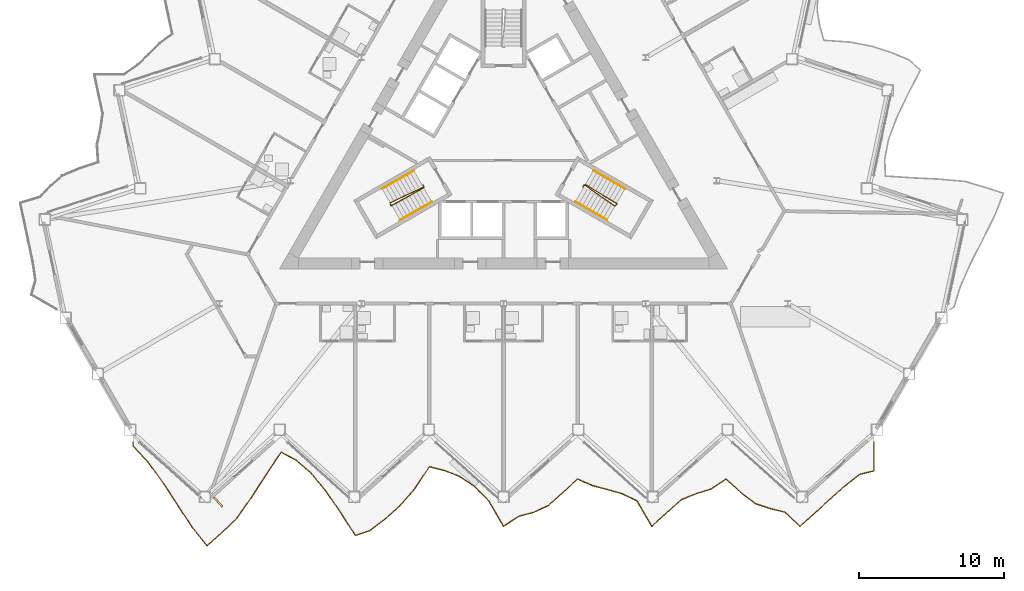
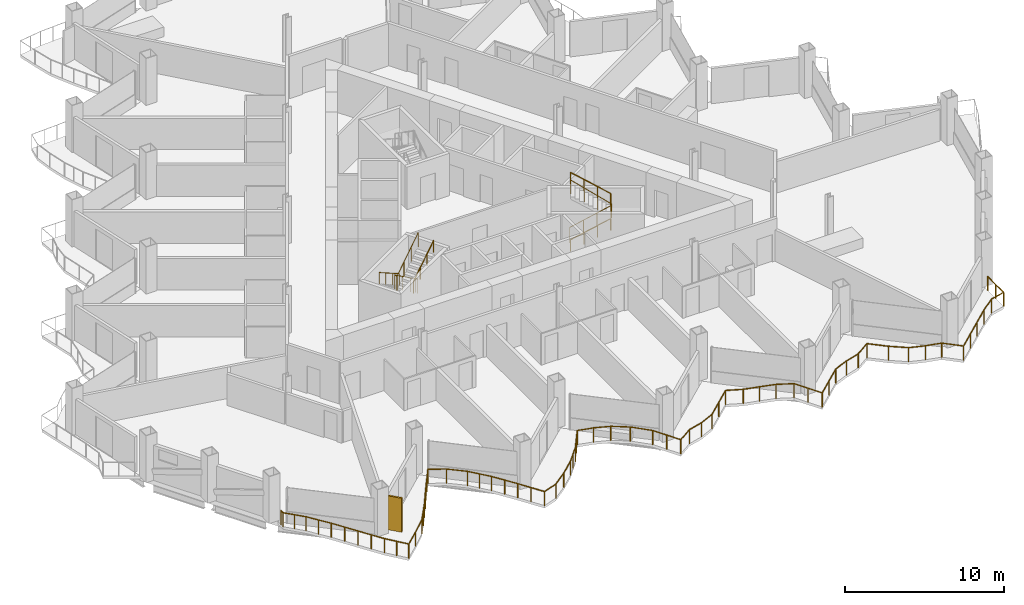
# One storey, part 19 of 23: 7 railings, 1 shading device.
"""IFC4 building model written with IfcOpenShell, lengths in metres."""

from ifc_helpers import new_model, si_unit, direction, frame, origin, origin_2d, place, context, subcontext, project, spatial, rectangle, circle, extrude, material, layer, layer_set, type_object, element, save


model = new_model("IFC4")

# Units and contexts
model_context = context("Model", 3, precision=1e-05, world=origin(), true_north=direction((0.0, 1.0)))
body_context = subcontext(model_context, "Body", "Model", "MODEL_VIEW")
ifc_project = project(units=[si_unit("LENGTHUNIT", "METRE"), si_unit("AREAUNIT", "SQUARE_METRE"), si_unit("VOLUMEUNIT", "CUBIC_METRE"), si_unit("PLANEANGLEUNIT", "RADIAN"), si_unit("MASSUNIT", "GRAM", prefix="KILO")], contexts=[model_context])

# Site, building, storey
site_placement = place(None, origin())
site = spatial("IfcSite", under=ifc_project, at=site_placement, CompositionType="ELEMENT")
building_placement = place(site_placement, origin())
building = spatial("IfcBuilding", under=site, at=building_placement, Name="Cormorant Prow Tower", CompositionType="ELEMENT")
storey_placement = place(building_placement, frame((0.0, 0.0, 183.60009765625)))
storey = spatial("IfcBuildingStorey", under=building, at=storey_placement, Name="L39", CompositionType="ELEMENT", Elevation=183.60009765625)

# Railings
ifc_material_1 = material(Name="Aluminium 6063-T6", Category="aluminium")
railing_type_1 = type_object("IfcRailingType", Name="Balcony guard 1100", PredefinedType="GUARDRAIL", material=ifc_material_1)
railing_1_placement = place(storey_placement, frame((-25.635498046875, -20.921630859375, 0.0)))
element("IfcRailing", 1, at=railing_1_placement, inside=storey, type_object=railing_type_1, Name="Balcony guard S", PredefinedType="GUARDRAIL", context=body_context, shape_type="SweptSolid", body=[
    extrude(circle(Radius=0.02392578125, at=origin_2d()), frame((0.0, 0.0, 1.076171875), z_axis=(0.0, -1.0, 0.0), x_axis=(1.0, 0.0, 0.0)), (0.0, 0.0, 1.0), 0.27001953125),
    extrude(circle(Radius=0.02392578125, at=origin_2d()), frame((0.0, -0.27001953125, 1.076171875), z_axis=(0.681103942477, -0.732186738163, 0.0), x_axis=(0.732186738163, 0.681103942477, 0.0)), (0.0, 0.0, 1.0), 1.50537109375),
    extrude(circle(Radius=0.02392578125, at=origin_2d()), frame((1.025390625, -1.372314453125, 1.076171875), z_axis=(0.588371589744, -0.808590670477, 0.0), x_axis=(0.808590670477, 0.588371589744, 0.0)), (0.0, 0.0, 1.0), 1.74267578125),
    extrude(circle(Radius=0.02392578125, at=origin_2d()), frame((2.05078125, -2.781494140625, 1.076171875), z_axis=(0.545138894856, -0.838345743304, 0.0), x_axis=(0.838345743304, 0.545138894856, 0.0)), (0.0, 0.0, 1.0), 1.880859375),
    extrude(circle(Radius=0.02392578125, at=origin_2d()), frame((3.076171875, -4.3583984375, 1.076171875), z_axis=(0.549977203076, -0.835179666956, 0.0), x_axis=(0.835179666956, 0.549977203076, 0.0)), (0.0, 0.0, 1.0), 1.864501953125),
    extrude(circle(Radius=0.02392578125, at=origin_2d()), frame((4.1015625, -5.91552734375, 1.076171875), z_axis=(0.627898546351, -0.778295198167, 0.0), x_axis=(0.778295198167, 0.627898546351, 0.0)), (0.0, 0.0, 1.0), 1.633056640625),
    extrude(circle(Radius=0.02392578125, at=origin_2d()), frame((5.126953125, -7.1865234375, 1.076171875), z_axis=(0.743197375743, 0.669072238767, 0.0), x_axis=(-0.669072238767, 0.743197375743, 0.0)), (0.0, 0.0, 1.0), 1.380126953125),
    extrude(circle(Radius=0.02392578125, at=origin_2d()), frame((6.152587890625, -6.26318359375, 1.076171875), z_axis=(0.723191339714, 0.690647729427, 0.0), x_axis=(-0.690647729427, 0.723191339714, 0.0)), (0.0, 0.0, 1.0), 1.41796875),
    extrude(circle(Radius=0.02392578125, at=origin_2d()), frame((7.177978515625, -5.283935546875, 1.076171875), z_axis=(0.575649567976, 0.817696505367, 0.0), x_axis=(-0.817696505367, 0.575649567976, 0.0)), (0.0, 0.0, 1.0), 1.78125),
    extrude(circle(Radius=0.02392578125, at=origin_2d()), frame((8.203369140625, -3.827392578125, 1.076171875), z_axis=(0.542303318484, 0.840182784137, 0.0), x_axis=(-0.840182784137, 0.542303318484, 0.0)), (0.0, 0.0, 1.0), 1.890869140625),
    extrude(circle(Radius=0.02392578125, at=origin_2d()), frame((9.228759765625, -2.23876953125, 1.076171875), z_axis=(0.556778734736, 0.83066084568, 0.0), x_axis=(-0.83066084568, 0.556778734736, 0.0)), (0.0, 0.0, 1.0), 1.841552734375),
    extrude(circle(Radius=0.02392578125, at=origin_2d()), frame((10.254150390625, -0.708984375, 1.076171875), z_axis=(0.881654667777, -0.471895165039, 0.0), x_axis=(0.471895165039, 0.881654667777, 0.0)), (0.0, 0.0, 1.0), 1.1630859375),
    extrude(circle(Radius=0.02392578125, at=origin_2d()), frame((11.279541015625, -1.2578125, 1.076171875), z_axis=(0.75568908279, -0.654930538418, 0.0), x_axis=(0.654930538418, 0.75568908279, 0.0)), (0.0, 0.0, 1.0), 1.35693359375),
    extrude(circle(Radius=0.02392578125, at=origin_2d()), frame((12.304931640625, -2.146484375, 1.076171875), z_axis=(0.637791451053, -0.7702091047, 0.0), x_axis=(0.7702091047, 0.637791451053, 0.0)), (0.0, 0.0, 1.0), 1.607666015625),
    extrude(circle(Radius=0.02392578125, at=origin_2d()), frame((13.330322265625, -3.384765625, 1.076171875), z_axis=(0.565055142768, -0.825053141095, 0.0), x_axis=(0.825053141095, 0.565055142768, 0.0)), (0.0, 0.0, 1.0), 1.815185546875),
    extrude(circle(Radius=0.02392578125, at=origin_2d()), frame((14.35595703125, -4.88232421875, 1.076171875), z_axis=(0.541421983834, -0.840750994897, 0.0), x_axis=(0.840750994897, 0.541421983834, 0.0)), (0.0, 0.0, 1.0), 1.893798828125),
    extrude(circle(Radius=0.02392578125, at=origin_2d()), frame((15.38134765625, -6.474609375, 1.076171875), z_axis=(0.946084075397, 0.323921166767, 0.0), x_axis=(-0.323921166767, 0.946084075397, 0.0)), (0.0, 0.0, 1.0), 1.083740234375),
    extrude(circle(Radius=0.02392578125, at=origin_2d()), frame((16.40673828125, -6.12353515625, 1.076171875), z_axis=(0.794610159297, 0.607120000282, 0.0), x_axis=(-0.607120000282, 0.794610159297, 0.0)), (0.0, 0.0, 1.0), 1.29052734375),
    extrude(circle(Radius=0.02392578125, at=origin_2d()), frame((17.43212890625, -5.340087890625, 1.076171875), z_axis=(0.743118165169, 0.669160214445, 0.0), x_axis=(-0.669160214445, 0.743118165169, 0.0)), (0.0, 0.0, 1.0), 1.3798828125),
    extrude(circle(Radius=0.02392578125, at=origin_2d()), frame((18.45751953125, -4.416748046875, 1.076171875), z_axis=(0.659749250302, 0.751485812725, 0.0), x_axis=(-0.751485812725, 0.659749250302, 0.0)), (0.0, 0.0, 1.0), 1.55419921875),
    extrude(circle(Radius=0.02392578125, at=origin_2d()), frame((19.48291015625, -3.248779296875, 1.076171875), z_axis=(0.556288580138, 0.830989178996, 0.0), x_axis=(-0.830989178996, 0.556288580138, 0.0)), (0.0, 0.0, 1.0), 1.84326171875),
    extrude(circle(Radius=0.02392578125, at=origin_2d()), frame((20.50830078125, -1.717041015625, 1.076171875), z_axis=(0.969651629127, -0.244490732201, 0.0), x_axis=(0.244490732201, 0.969651629127, 0.0)), (0.0, 0.0, 1.0), 1.057373046875),
    extrude(circle(Radius=0.02392578125, at=origin_2d()), frame((21.53369140625, -1.9755859375, 1.076171875), z_axis=(0.933894668964, -0.357548244689, 0.0), x_axis=(0.357548244689, 0.933894668964, 0.0)), (0.0, 0.0, 1.0), 1.097900390625),
    extrude(circle(Radius=0.02392578125, at=origin_2d()), frame((22.55908203125, -2.3681640625, 1.076171875), z_axis=(0.834030278815, -0.551718672894, 0.0), x_axis=(0.551718672894, 0.834030278815, 0.0)), (0.0, 0.0, 1.0), 1.229736328125),
    extrude(circle(Radius=0.02392578125, at=origin_2d()), frame((23.584716796875, -3.046630859375, 1.076171875), z_axis=(0.703915232467, -0.710283989332, 0.0), x_axis=(0.710283989332, 0.703915232467, 0.0)), (0.0, 0.0, 1.0), 1.456787109375),
    extrude(circle(Radius=0.02392578125, at=origin_2d()), frame((24.610107421875, -4.081298828125, 1.076171875), z_axis=(0.504445929964, -0.863443283455, 0.0), x_axis=(0.863443283455, 0.504445929964, 0.0)), (0.0, 0.0, 1.0), 2.03271484375),
    extrude(circle(Radius=0.02392578125, at=origin_2d()), frame((25.635498046875, -5.83642578125, 1.076171875), z_axis=(0.831867421138, 0.554974408102, 0.0), x_axis=(-0.554974408102, 0.831867421138, 0.0)), (0.0, 0.0, 1.0), 1.232666015625),
    extrude(circle(Radius=0.02392578125, at=origin_2d()), frame((26.660888671875, -5.15234375, 1.076171875), z_axis=(0.966862485254, 0.255297737178, 0.0), x_axis=(-0.255297737178, 0.966862485254, 0.0)), (0.0, 0.0, 1.0), 1.060546875),
    extrude(circle(Radius=0.02392578125, at=origin_2d()), frame((27.686279296875, -4.881591796875, 1.076171875), z_axis=(0.910818857166, 0.412806261377, 0.0), x_axis=(-0.412806261377, 0.910818857166, 0.0)), (0.0, 0.0, 1.0), 1.1259765625),
    extrude(circle(Radius=0.02392578125, at=origin_2d()), frame((28.7119140625, -4.416748046875, 1.076171875), z_axis=(0.743118165169, 0.669160214445, 0.0), x_axis=(-0.669160214445, 0.743118165169, 0.0)), (0.0, 0.0, 1.0), 1.3798828125),
    extrude(circle(Radius=0.02392578125, at=origin_2d()), frame((29.7373046875, -3.493408203125, 1.076171875), z_axis=(0.743118165169, 0.669160214445, 0.0), x_axis=(-0.669160214445, 0.743118165169, 0.0)), (0.0, 0.0, 1.0), 1.3798828125),
    extrude(circle(Radius=0.02392578125, at=origin_2d()), frame((30.7626953125, -2.570068359375, 1.076171875), z_axis=(0.915154313981, -0.40310368592, 0.0), x_axis=(0.40310368592, 0.915154313981, 0.0)), (0.0, 0.0, 1.0), 1.120361328125),
    extrude(circle(Radius=0.02392578125, at=origin_2d()), frame((31.7880859375, -3.021728515625, 1.076171875), z_axis=(0.96725923768, -0.253790399982, 0.0), x_axis=(0.253790399982, 0.96725923768, 0.0)), (0.0, 0.0, 1.0), 1.06005859375),
    extrude(circle(Radius=0.02392578125, at=origin_2d()), frame((32.8134765625, -3.290771484375, 1.076171875), z_axis=(0.962126726315, -0.272602572456, 0.0), x_axis=(0.272602572456, 0.962126726315, 0.0)), (0.0, 0.0, 1.0), 1.065673828125),
    extrude(circle(Radius=0.02392578125, at=origin_2d()), frame((33.8388671875, -3.581298828125, 1.076171875), z_axis=(0.901020302819, -0.433776917214, 0.0), x_axis=(0.433776917214, 0.901020302819, 0.0)), (0.0, 0.0, 1.0), 1.137939453125),
    extrude(circle(Radius=0.02392578125, at=origin_2d()), frame((34.8642578125, -4.074951171875, 1.076171875), z_axis=(0.503088815692, -0.864234715529, 0.0), x_axis=(0.864234715529, 0.503088815692, 0.0)), (0.0, 0.0, 1.0), 2.0380859375),
    extrude(circle(Radius=0.02392578125, at=origin_2d()), frame((35.8896484375, -5.83642578125, 1.076171875), z_axis=(0.743206151718, 0.669062490392, 0.0), x_axis=(-0.669062490392, 0.743206151718, 0.0)), (0.0, 0.0, 1.0), 1.379638671875),
    extrude(circle(Radius=0.02392578125, at=origin_2d()), frame((36.9150390625, -4.913330078125, 1.076171875), z_axis=(0.743197375743, 0.669072238767, 0.0), x_axis=(-0.669072238767, 0.743197375743, 0.0)), (0.0, 0.0, 1.0), 1.380126953125),
    extrude(circle(Radius=0.02392578125, at=origin_2d()), frame((37.940673828125, -3.989990234375, 1.076171875), z_axis=(0.928095210869, 0.372342959599, 0.0), x_axis=(-0.372342959599, 0.928095210869, 0.0)), (0.0, 0.0, 1.0), 1.104736328125),
    extrude(circle(Radius=0.02392578125, at=origin_2d()), frame((38.966064453125, -3.57861328125, 1.076171875), z_axis=(0.955028616031, 0.296513646501, 0.0), x_axis=(-0.296513646501, 0.955028616031, 0.0)), (0.0, 0.0, 1.0), 1.07373046875),
    extrude(circle(Radius=0.02392578125, at=origin_2d()), frame((39.991455078125, -3.26025390625, 1.076171875), z_axis=(0.829580709455, 0.55838682515, 0.0), x_axis=(-0.55838682515, 0.829580709455, 0.0)), (0.0, 0.0, 1.0), 1.236083984375),
    extrude(circle(Radius=0.02392578125, at=origin_2d()), frame((41.016845703125, -2.570068359375, 1.076171875), z_axis=(0.743118165169, -0.669160214445, 0.0), x_axis=(0.669160214445, 0.743118165169, 0.0)), (0.0, 0.0, 1.0), 1.3798828125),
    extrude(circle(Radius=0.02392578125, at=origin_2d()), frame((42.042236328125, -3.493408203125, 1.076171875), z_axis=(0.798446059556, -0.602066350147, 0.0), x_axis=(0.602066350147, 0.798446059556, 0.0)), (0.0, 0.0, 1.0), 1.2841796875),
    extrude(circle(Radius=0.02392578125, at=origin_2d()), frame((43.067626953125, -4.2666015625, 1.076171875), z_axis=(0.947252842265, -0.320487211633, 0.0), x_axis=(0.320487211633, 0.947252842265, 0.0)), (0.0, 0.0, 1.0), 1.08251953125),
    extrude(circle(Radius=0.02392578125, at=origin_2d()), frame((44.093017578125, -4.613525390625, 1.076171875), z_axis=(0.970629918365, -0.240577558337, 0.0), x_axis=(0.240577558337, 0.970629918365, 0.0)), (0.0, 0.0, 1.0), 1.056396484375),
    extrude(circle(Radius=0.02392578125, at=origin_2d()), frame((45.118408203125, -4.86767578125, 1.076171875), z_axis=(0.726979558122, -0.686659101792, 0.0), x_axis=(0.686659101792, 0.726979558122, 0.0)), (0.0, 0.0, 1.0), 1.410888671875),
    extrude(circle(Radius=0.02392578125, at=origin_2d()), frame((46.14404296875, -5.83642578125, 1.076171875), z_axis=(0.743206151718, 0.669062490392, 0.0), x_axis=(-0.669062490392, 0.743206151718, 0.0)), (0.0, 0.0, 1.0), 1.379638671875),
    extrude(circle(Radius=0.02392578125, at=origin_2d()), frame((47.16943359375, -4.913330078125, 1.076171875), z_axis=(0.743118165169, 0.669160214445, 0.0), x_axis=(-0.669160214445, 0.743118165169, 0.0)), (0.0, 0.0, 1.0), 1.3798828125),
    extrude(circle(Radius=0.02392578125, at=origin_2d()), frame((48.19482421875, -3.989990234375, 1.076171875), z_axis=(0.743118165169, 0.669160214445, 0.0), x_axis=(-0.669160214445, 0.743118165169, 0.0)), (0.0, 0.0, 1.0), 1.3798828125),
    extrude(circle(Radius=0.02392578125, at=origin_2d()), frame((49.22021484375, -3.066650390625, 1.076171875), z_axis=(0.78359163576, 0.621276225496, 0.0), x_axis=(-0.621276225496, 0.78359163576, 0.0)), (0.0, 0.0, 1.0), 1.30859375),
    extrude(circle(Radius=0.02392578125, at=origin_2d()), frame((50.24560546875, -2.253662109375, 1.076171875), z_axis=(0.969596875513, 0.244707782868, 0.0), x_axis=(-0.244707782868, 0.969596875513, 0.0)), (0.0, 0.0, 1.0), 1.0576171875),
    extrude(circle(Radius=0.02392578125, at=origin_2d()), frame((51.27099609375, -1.994873046875, 1.076171875), z_axis=(0.0, 1.0, 0.0), x_axis=(-1.0, 0.0, 0.0)), (0.0, 0.0, 1.0), 1.994873046875),
    extrude(circle(Radius=0.02099609375, at=origin_2d()), origin(), (0.0, 0.0, 1.0), 1.052001953125),
    extrude(circle(Radius=0.02099609375, at=origin_2d()), frame((0.0, -0.27001953125, 0.0)), (0.0, 0.0, 1.0), 1.052001953125),
    extrude(circle(Radius=0.02099609375, at=origin_2d()), frame((0.5126953125, -0.8212890625, 0.0)), (0.0, 0.0, 1.0), 1.052001953125),
    extrude(circle(Radius=0.02099609375, at=origin_2d()), frame((1.025390625, -1.372314453125, 0.0)), (0.0, 0.0, 1.0), 1.052001953125),
    extrude(circle(Radius=0.02099609375, at=origin_2d()), frame((1.5380859375, -2.076904296875, 0.0)), (0.0, 0.0, 1.0), 1.052001953125),
    extrude(circle(Radius=0.02099609375, at=origin_2d()), frame((2.05078125, -2.781494140625, 0.0)), (0.0, 0.0, 1.0), 1.052001953125),
    extrude(circle(Radius=0.02099609375, at=origin_2d()), frame((2.5634765625, -3.56982421875, 0.0)), (0.0, 0.0, 1.0), 1.052001953125),
    extrude(circle(Radius=0.02099609375, at=origin_2d()), frame((3.076171875, -4.3583984375, 0.0)), (0.0, 0.0, 1.0), 1.052001953125),
    extrude(circle(Radius=0.02099609375, at=origin_2d()), frame((3.5888671875, -5.136962890625, 0.0)), (0.0, 0.0, 1.0), 1.052001953125),
    extrude(circle(Radius=0.02099609375, at=origin_2d()), frame((4.1015625, -5.91552734375, 0.0)), (0.0, 0.0, 1.0), 1.052001953125),
    extrude(circle(Radius=0.02099609375, at=origin_2d()), frame((4.6142578125, -6.551025390625, 0.0)), (0.0, 0.0, 1.0), 1.052001953125),
    extrude(circle(Radius=0.02099609375, at=origin_2d()), frame((5.126953125, -7.1865234375, 0.0)), (0.0, 0.0, 1.0), 1.052001953125),
    extrude(circle(Radius=0.02099609375, at=origin_2d()), frame((6.152587890625, -6.26318359375, 0.0)), (0.0, 0.0, 1.0), 1.052001953125),
    extrude(circle(Radius=0.02099609375, at=origin_2d()), frame((7.177978515625, -5.283935546875, 0.0)), (0.0, 0.0, 1.0), 1.052001953125),
    extrude(circle(Radius=0.02099609375, at=origin_2d()), frame((7.690673828125, -4.5556640625, 0.0)), (0.0, 0.0, 1.0), 1.052001953125),
    extrude(circle(Radius=0.02099609375, at=origin_2d()), frame((8.203369140625, -3.827392578125, 0.0)), (0.0, 0.0, 1.0), 1.052001953125),
    extrude(circle(Radius=0.02099609375, at=origin_2d()), frame((8.716064453125, -3.033203125, 0.0)), (0.0, 0.0, 1.0), 1.052001953125),
    extrude(circle(Radius=0.02099609375, at=origin_2d()), frame((9.228759765625, -2.23876953125, 0.0)), (0.0, 0.0, 1.0), 1.052001953125),
    extrude(circle(Radius=0.02099609375, at=origin_2d()), frame((9.741455078125, -1.473876953125, 0.0)), (0.0, 0.0, 1.0), 1.052001953125),
    extrude(circle(Radius=0.02099609375, at=origin_2d()), frame((10.254150390625, -0.708984375, 0.0)), (0.0, 0.0, 1.0), 1.052001953125),
    extrude(circle(Radius=0.02099609375, at=origin_2d()), frame((11.279541015625, -1.2578125, 0.0)), (0.0, 0.0, 1.0), 1.052001953125),
    extrude(circle(Radius=0.02099609375, at=origin_2d()), frame((12.304931640625, -2.146484375, 0.0)), (0.0, 0.0, 1.0), 1.052001953125),
    extrude(circle(Radius=0.02099609375, at=origin_2d()), frame((12.817626953125, -2.765625, 0.0)), (0.0, 0.0, 1.0), 1.052001953125),
    extrude(circle(Radius=0.02099609375, at=origin_2d()), frame((13.330322265625, -3.384765625, 0.0)), (0.0, 0.0, 1.0), 1.052001953125),
    extrude(circle(Radius=0.02099609375, at=origin_2d()), frame((13.84326171875, -4.133544921875, 0.0)), (0.0, 0.0, 1.0), 1.052001953125),
    extrude(circle(Radius=0.02099609375, at=origin_2d()), frame((14.35595703125, -4.88232421875, 0.0)), (0.0, 0.0, 1.0), 1.052001953125),
    extrude(circle(Radius=0.02099609375, at=origin_2d()), frame((14.86865234375, -5.678466796875, 0.0)), (0.0, 0.0, 1.0), 1.052001953125),
    extrude(circle(Radius=0.02099609375, at=origin_2d()), frame((15.38134765625, -6.474609375, 0.0)), (0.0, 0.0, 1.0), 1.052001953125),
    extrude(circle(Radius=0.02099609375, at=origin_2d()), frame((16.40673828125, -6.12353515625, 0.0)), (0.0, 0.0, 1.0), 1.052001953125),
    extrude(circle(Radius=0.02099609375, at=origin_2d()), frame((17.43212890625, -5.340087890625, 0.0)), (0.0, 0.0, 1.0), 1.052001953125),
    extrude(circle(Radius=0.02099609375, at=origin_2d()), frame((18.45751953125, -4.416748046875, 0.0)), (0.0, 0.0, 1.0), 1.052001953125),
    extrude(circle(Radius=0.02099609375, at=origin_2d()), frame((18.97021484375, -3.832763671875, 0.0)), (0.0, 0.0, 1.0), 1.052001953125),
    extrude(circle(Radius=0.02099609375, at=origin_2d()), frame((19.48291015625, -3.248779296875, 0.0)), (0.0, 0.0, 1.0), 1.052001953125),
    extrude(circle(Radius=0.02099609375, at=origin_2d()), frame((19.99560546875, -2.48291015625, 0.0)), (0.0, 0.0, 1.0), 1.052001953125),
    extrude(circle(Radius=0.02099609375, at=origin_2d()), frame((20.50830078125, -1.717041015625, 0.0)), (0.0, 0.0, 1.0), 1.052001953125),
    extrude(circle(Radius=0.02099609375, at=origin_2d()), frame((21.53369140625, -1.9755859375, 0.0)), (0.0, 0.0, 1.0), 1.052001953125),
    extrude(circle(Radius=0.02099609375, at=origin_2d()), frame((22.55908203125, -2.3681640625, 0.0)), (0.0, 0.0, 1.0), 1.052001953125),
    extrude(circle(Radius=0.02099609375, at=origin_2d()), frame((23.584716796875, -3.046630859375, 0.0)), (0.0, 0.0, 1.0), 1.052001953125),
    extrude(circle(Radius=0.02099609375, at=origin_2d()), frame((24.610107421875, -4.081298828125, 0.0)), (0.0, 0.0, 1.0), 1.052001953125),
    extrude(circle(Radius=0.02099609375, at=origin_2d()), frame((25.122802734375, -4.958984375, 0.0)), (0.0, 0.0, 1.0), 1.052001953125),
    extrude(circle(Radius=0.02099609375, at=origin_2d()), frame((25.635498046875, -5.83642578125, 0.0)), (0.0, 0.0, 1.0), 1.052001953125),
    extrude(circle(Radius=0.02099609375, at=origin_2d()), frame((26.660888671875, -5.15234375, 0.0)), (0.0, 0.0, 1.0), 1.052001953125),
    extrude(circle(Radius=0.02099609375, at=origin_2d()), frame((27.686279296875, -4.881591796875, 0.0)), (0.0, 0.0, 1.0), 1.052001953125),
    extrude(circle(Radius=0.02099609375, at=origin_2d()), frame((28.7119140625, -4.416748046875, 0.0)), (0.0, 0.0, 1.0), 1.052001953125),
    extrude(circle(Radius=0.02099609375, at=origin_2d()), frame((29.7373046875, -3.493408203125, 0.0)), (0.0, 0.0, 1.0), 1.052001953125),
    extrude(circle(Radius=0.02099609375, at=origin_2d()), frame((30.7626953125, -2.570068359375, 0.0)), (0.0, 0.0, 1.0), 1.052001953125),
    extrude(circle(Radius=0.02099609375, at=origin_2d()), frame((31.7880859375, -3.021728515625, 0.0)), (0.0, 0.0, 1.0), 1.052001953125),
    extrude(circle(Radius=0.02099609375, at=origin_2d()), frame((32.8134765625, -3.290771484375, 0.0)), (0.0, 0.0, 1.0), 1.052001953125),
    extrude(circle(Radius=0.02099609375, at=origin_2d()), frame((33.8388671875, -3.581298828125, 0.0)), (0.0, 0.0, 1.0), 1.052001953125),
    extrude(circle(Radius=0.02099609375, at=origin_2d()), frame((34.8642578125, -4.074951171875, 0.0)), (0.0, 0.0, 1.0), 1.052001953125),
    extrude(circle(Radius=0.02099609375, at=origin_2d()), frame((35.376953125, -4.95556640625, 0.0)), (0.0, 0.0, 1.0), 1.052001953125),
    extrude(circle(Radius=0.02099609375, at=origin_2d()), frame((35.8896484375, -5.83642578125, 0.0)), (0.0, 0.0, 1.0), 1.052001953125),
    extrude(circle(Radius=0.02099609375, at=origin_2d()), frame((36.9150390625, -4.913330078125, 0.0)), (0.0, 0.0, 1.0), 1.052001953125),
    extrude(circle(Radius=0.02099609375, at=origin_2d()), frame((37.940673828125, -3.989990234375, 0.0)), (0.0, 0.0, 1.0), 1.052001953125),
    extrude(circle(Radius=0.02099609375, at=origin_2d()), frame((38.966064453125, -3.57861328125, 0.0)), (0.0, 0.0, 1.0), 1.052001953125),
    extrude(circle(Radius=0.02099609375, at=origin_2d()), frame((39.991455078125, -3.26025390625, 0.0)), (0.0, 0.0, 1.0), 1.052001953125),
    extrude(circle(Radius=0.02099609375, at=origin_2d()), frame((41.016845703125, -2.570068359375, 0.0)), (0.0, 0.0, 1.0), 1.052001953125),
    extrude(circle(Radius=0.02099609375, at=origin_2d()), frame((42.042236328125, -3.493408203125, 0.0)), (0.0, 0.0, 1.0), 1.052001953125),
    extrude(circle(Radius=0.02099609375, at=origin_2d()), frame((43.067626953125, -4.2666015625, 0.0)), (0.0, 0.0, 1.0), 1.052001953125),
    extrude(circle(Radius=0.02099609375, at=origin_2d()), frame((44.093017578125, -4.613525390625, 0.0)), (0.0, 0.0, 1.0), 1.052001953125),
    extrude(circle(Radius=0.02099609375, at=origin_2d()), frame((45.118408203125, -4.86767578125, 0.0)), (0.0, 0.0, 1.0), 1.052001953125),
    extrude(circle(Radius=0.02099609375, at=origin_2d()), frame((46.14404296875, -5.83642578125, 0.0)), (0.0, 0.0, 1.0), 1.052001953125),
    extrude(circle(Radius=0.02099609375, at=origin_2d()), frame((47.16943359375, -4.913330078125, 0.0)), (0.0, 0.0, 1.0), 1.052001953125),
    extrude(circle(Radius=0.02099609375, at=origin_2d()), frame((48.19482421875, -3.989990234375, 0.0)), (0.0, 0.0, 1.0), 1.052001953125),
    extrude(circle(Radius=0.02099609375, at=origin_2d()), frame((49.22021484375, -3.066650390625, 0.0)), (0.0, 0.0, 1.0), 1.052001953125),
    extrude(circle(Radius=0.02099609375, at=origin_2d()), frame((50.24560546875, -2.253662109375, 0.0)), (0.0, 0.0, 1.0), 1.052001953125),
    extrude(circle(Radius=0.02099609375, at=origin_2d()), frame((51.27099609375, -1.994873046875, 0.0)), (0.0, 0.0, 1.0), 1.052001953125),
    extrude(circle(Radius=0.02099609375, at=origin_2d()), frame((51.27099609375, -0.99755859375, 0.0)), (0.0, 0.0, 1.0), 1.052001953125),
    extrude(circle(Radius=0.02099609375, at=origin_2d()), frame((51.27099609375, 0.0, 0.0)), (0.0, 0.0, 1.0), 1.052001953125),
])
ifc_material_2 = material(Name="Stainless steel", Category="steel")
railing_type_2 = type_object("IfcRailingType", Name="Stair guard 1100", PredefinedType="GUARDRAIL", material=ifc_material_2)
railing_2_placement = place(storey_placement, frame((-5.585205078125, -3.137939453125, 0.0)))
element("IfcRailing", 2, at=railing_2_placement, inside=storey, type_object=railing_type_2, Name="L39 ST1 stair guard 1", PredefinedType="GUARDRAIL", context=body_context, shape_type="SweptSolid", body=[
    extrude(circle(Radius=0.02392578125, at=origin_2d()), frame((0.0, 0.0, 1.076171875), z_axis=(0.501036270542, -0.865426285481, 0.0), x_axis=(0.865426285481, 0.501036270542, 0.0)), (0.0, 0.0, 1.0), 0.150146484375),
    extrude(circle(Radius=0.02392578125, at=origin_2d()), frame((0.0751953125, -0.1298828125, 1.076171875), z_axis=(-0.739739923809, -0.353640102144, 0.572471416997), x_axis=(0.431308035802, -0.902204731895, 0.0)), (0.0, 0.0, 1.0), 3.143798828125),
    extrude(circle(Radius=0.02392578125, at=origin_2d()), frame((-2.25048828125, -1.24169921875, 2.8759765625), z_axis=(0.274721127897, -0.961523947641, 0.0), x_axis=(0.961523947641, 0.274721127897, 0.0)), (0.0, 0.0, 1.0), 0.2060546875),
    extrude(circle(Radius=0.02392578125, at=origin_2d()), frame((-2.19384765625, -1.43994140625, 2.8759765625), z_axis=(0.717223475266, 0.39568267656, 0.573607623727), x_axis=(-0.483052234887, 0.87559153626, 0.0)), (0.0, 0.0, 1.0), 3.13818359375),
    extrude(circle(Radius=0.02099609375, at=origin_2d()), origin(), (0.0, 0.0, 1.0), 1.052001953125),
    extrude(circle(Radius=0.02099609375, at=origin_2d()), frame((0.0751953125, -0.1298828125, 0.0)), (0.0, 0.0, 1.0), 1.052001953125),
    extrude(circle(Radius=0.02099609375, at=origin_2d()), frame((-0.699951171875, -0.50048828125, 0.599853515625)), (0.0, 0.0, 1.0), 1.052001953125),
    extrude(circle(Radius=0.02099609375, at=origin_2d()), frame((-1.475341796875, -0.87109375, 1.199951171875)), (0.0, 0.0, 1.0), 1.052001953125),
    extrude(circle(Radius=0.02099609375, at=origin_2d()), frame((-2.25048828125, -1.24169921875, 1.7998046875)), (0.0, 0.0, 1.0), 1.052001953125),
    extrude(circle(Radius=0.02099609375, at=origin_2d()), frame((-2.19384765625, -1.43994140625, 1.7998046875)), (0.0, 0.0, 1.0), 1.052001953125),
    extrude(circle(Radius=0.02099609375, at=origin_2d()), frame((-1.443603515625, -1.026123046875, 2.39990234375)), (0.0, 0.0, 1.0), 1.052001953125),
    extrude(circle(Radius=0.02099609375, at=origin_2d()), frame((-0.693359375, -0.612060546875, 2.999755859375)), (0.0, 0.0, 1.0), 1.052001953125),
    extrude(circle(Radius=0.02099609375, at=origin_2d()), frame((0.056884765625, -0.1982421875, 3.599853515625)), (0.0, 0.0, 1.0), 1.052001953125),
])
railing_3_placement = place(storey_placement, frame((5.510009765625, -3.267822265625, 0.0)))
element("IfcRailing", 3, at=railing_3_placement, inside=storey, type_object=railing_type_2, Name="L39 ST2 stair guard 1", PredefinedType="GUARDRAIL", context=body_context, shape_type="SweptSolid", body=[
    extrude(circle(Radius=0.02392578125, at=origin_2d()), frame((0.0, 0.0, 1.076171875), z_axis=(0.501036270542, 0.865426285481, 0.0), x_axis=(-0.865426285481, 0.501036270542, 0.0)), (0.0, 0.0, 1.0), 0.150146484375),
    extrude(circle(Radius=0.02392578125, at=origin_2d()), frame((0.0751953125, 0.1298828125, 1.076171875), z_axis=(0.676088294965, -0.463849688241, 0.572492868192), x_axis=(0.565732651216, 0.824588726183, 0.0)), (0.0, 0.0, 1.0), 3.143798828125),
    extrude(circle(Radius=0.02392578125, at=origin_2d()), frame((2.20068359375, -1.328369140625, 2.8759765625), z_axis=(0.695164929852, 0.718850276695, 0.0), x_axis=(-0.718850276695, 0.695164929852, 0.0)), (0.0, 0.0, 1.0), 0.2060546875),
    extrude(circle(Radius=0.02392578125, at=origin_2d()), frame((2.343994140625, -1.18017578125, 2.8759765625), z_axis=(-0.70127624584, 0.423301980654, 0.573608804147), x_axis=(-0.516770599887, -0.856123908726, 0.0)), (0.0, 0.0, 1.0), 3.13818359375),
    extrude(circle(Radius=0.02099609375, at=origin_2d()), origin(), (0.0, 0.0, 1.0), 1.052001953125),
    extrude(circle(Radius=0.02099609375, at=origin_2d()), frame((0.0751953125, 0.1298828125, 0.0)), (0.0, 0.0, 1.0), 1.052001953125),
    extrude(circle(Radius=0.02099609375, at=origin_2d()), frame((0.78369140625, -0.356201171875, 0.599853515625)), (0.0, 0.0, 1.0), 1.052001953125),
    extrude(circle(Radius=0.02099609375, at=origin_2d()), frame((1.4921875, -0.84228515625, 1.199951171875)), (0.0, 0.0, 1.0), 1.052001953125),
    extrude(circle(Radius=0.02099609375, at=origin_2d()), frame((2.20068359375, -1.328369140625, 1.7998046875)), (0.0, 0.0, 1.0), 1.052001953125),
    extrude(circle(Radius=0.02099609375, at=origin_2d()), frame((2.343994140625, -1.18017578125, 1.7998046875)), (0.0, 0.0, 1.0), 1.052001953125),
    extrude(circle(Radius=0.02099609375, at=origin_2d()), frame((1.6103515625, -0.7373046875, 2.39990234375)), (0.0, 0.0, 1.0), 1.052001953125),
    extrude(circle(Radius=0.02099609375, at=origin_2d()), frame((0.876953125, -0.294677734375, 2.999755859375)), (0.0, 0.0, 1.0), 1.052001953125),
    extrude(circle(Radius=0.02099609375, at=origin_2d()), frame((0.143310546875, 0.148193359375, 3.599853515625)), (0.0, 0.0, 1.0), 1.052001953125),
])
ifc_material_3 = material(Name="Stainless steel", Category="steel")
railing_type_3 = type_object("IfcRailingType", Name="Stair handrail 900", PredefinedType="HANDRAIL", material=ifc_material_3)
railing_4_placement = place(storey_placement, frame((-6.212890625, -2.150634765625, 0.179931640625)))
element("IfcRailing", 4, at=railing_4_placement, inside=storey, type_object=railing_type_3, Name="L39 ST1 stair handrail 1", PredefinedType="HANDRAIL", context=body_context, shape_type="SweptSolid", body=[
    extrude(circle(Radius=0.02392578125, at=origin_2d()), frame((0.0, 0.0, 0.8759765625), z_axis=(-0.72849590497, -0.42060268101, 0.54072830624), x_axis=(0.500004791531, -0.866022637375, 0.0)), (0.0, 0.0, 1.0), 2.99560546875),
    extrude(circle(Radius=0.02099609375, at=origin_2d()), origin(), (0.0, 0.0, 1.0), 0.851806640625),
    extrude(circle(Radius=0.02099609375, at=origin_2d()), frame((-0.7275390625, -0.419921875, 0.5400390625)), (0.0, 0.0, 1.0), 0.851806640625),
    extrude(circle(Radius=0.02099609375, at=origin_2d()), frame((-1.454833984375, -0.840087890625, 1.079833984375)), (0.0, 0.0, 1.0), 0.851806640625),
    extrude(circle(Radius=0.02099609375, at=origin_2d()), frame((-2.182373046875, -1.260009765625, 1.619873046875)), (0.0, 0.0, 1.0), 0.851806640625),
])
railing_5_placement = place(storey_placement, frame((-7.1513671875, -5.565185546875, 1.97998046875)))
element("IfcRailing", 5, at=railing_5_placement, inside=storey, type_object=railing_type_3, Name="L39 ST1 stair handrail 2", PredefinedType="HANDRAIL", context=body_context, shape_type="SweptSolid", body=[
    extrude(circle(Radius=0.02392578125, at=origin_2d()), frame((0.0, 0.0, 0.8759765625), z_axis=(0.72849590497, 0.42060268101, 0.54072830624), x_axis=(-0.500004791531, 0.866022637375, 0.0)), (0.0, 0.0, 1.0), 2.99560546875),
    extrude(circle(Radius=0.02099609375, at=origin_2d()), origin(), (0.0, 0.0, 1.0), 0.851806640625),
    extrude(circle(Radius=0.02099609375, at=origin_2d()), frame((0.7275390625, 0.419921875, 0.5400390625)), (0.0, 0.0, 1.0), 0.851806640625),
    extrude(circle(Radius=0.02099609375, at=origin_2d()), frame((1.454833984375, 0.840087890625, 1.079833984375)), (0.0, 0.0, 1.0), 0.851806640625),
    extrude(circle(Radius=0.02099609375, at=origin_2d()), frame((2.182373046875, 1.260009765625, 1.619873046875)), (0.0, 0.0, 1.0), 0.851806640625),
])
railing_6_placement = place(storey_placement, frame((4.968994140625, -4.30517578125, 0.179931640625)))
element("IfcRailing", 6, at=railing_6_placement, inside=storey, type_object=railing_type_3, Name="L39 ST2 stair handrail 1", PredefinedType="HANDRAIL", context=body_context, shape_type="SweptSolid", body=[
    extrude(circle(Radius=0.02392578125, at=origin_2d()), frame((0.0, 0.0, 0.8759765625), z_axis=(0.72849590497, -0.42060268101, 0.54072830624), x_axis=(0.500004791531, 0.866022637375, 0.0)), (0.0, 0.0, 1.0), 2.99560546875),
    extrude(circle(Radius=0.02099609375, at=origin_2d()), origin(), (0.0, 0.0, 1.0), 0.851806640625),
    extrude(circle(Radius=0.02099609375, at=origin_2d()), frame((0.7275390625, -0.419921875, 0.5400390625)), (0.0, 0.0, 1.0), 0.851806640625),
    extrude(circle(Radius=0.02099609375, at=origin_2d()), frame((1.454833984375, -0.840087890625, 1.079833984375)), (0.0, 0.0, 1.0), 0.851806640625),
    extrude(circle(Radius=0.02099609375, at=origin_2d()), frame((2.182373046875, -1.260009765625, 1.619873046875)), (0.0, 0.0, 1.0), 0.851806640625),
])
railing_7_placement = place(storey_placement, frame((8.395263671875, -3.41064453125, 1.97998046875)))
element("IfcRailing", 7, at=railing_7_placement, inside=storey, type_object=railing_type_3, Name="L39 ST2 stair handrail 2", PredefinedType="HANDRAIL", context=body_context, shape_type="SweptSolid", body=[
    extrude(circle(Radius=0.02392578125, at=origin_2d()), frame((0.0, 0.0, 0.8759765625), z_axis=(-0.72849590497, 0.42060268101, 0.54072830624), x_axis=(-0.500004791531, -0.866022637375, 0.0)), (0.0, 0.0, 1.0), 2.99560546875),
    extrude(circle(Radius=0.02099609375, at=origin_2d()), origin(), (0.0, 0.0, 1.0), 0.851806640625),
    extrude(circle(Radius=0.02099609375, at=origin_2d()), frame((-0.7275390625, 0.419921875, 0.5400390625)), (0.0, 0.0, 1.0), 0.851806640625),
    extrude(circle(Radius=0.02099609375, at=origin_2d()), frame((-1.454833984375, 0.840087890625, 1.079833984375)), (0.0, 0.0, 1.0), 0.851806640625),
    extrude(circle(Radius=0.02099609375, at=origin_2d()), frame((-2.182373046875, 1.260009765625, 1.619873046875)), (0.0, 0.0, 1.0), 0.851806640625),
])

# Shading device
ifc_material_4 = material(Name="Terracotta", Category="masonry")
ifc_layer = layer(ifc_material_4, 0.1201171875)
ifc_layer_set = layer_set([ifc_layer], Name="Terracotta")
shading_device_type = type_object("IfcShadingDeviceType", Name="Terracotta baguette fin 120x900x2600", PredefinedType="USERDEFINED", material=ifc_layer_set)
shading_device_placement = place(storey_placement, frame((-19.74072265625, -25.072265625, -0.000244140625), z_axis=(0.0, 0.0, 1.0), x_axis=(0.743144845716, 0.669130583881, 0.0)))
element("IfcShadingDevice", 8, at=shading_device_placement, inside=storey, type_object=shading_device_type, Name="Baguette fin S01", ObjectType="BAGUETTE", PredefinedType="USERDEFINED", context=body_context, shape_type="SweptSolid", body=[
    extrude(rectangle(XDim=0.1201171875, YDim=0.89990234375, at=origin_2d()), origin(), (0.0, 0.0, 1.0), 2.60009765625),
])

save(model, "model.ifc")
